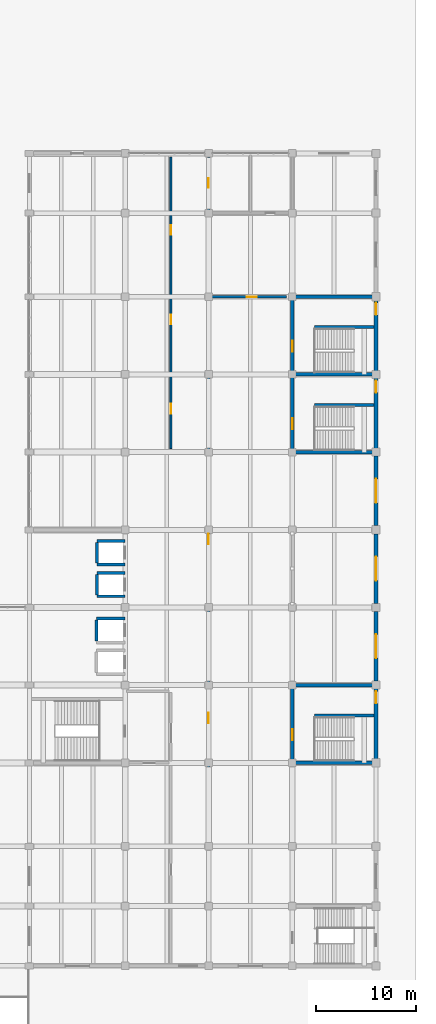
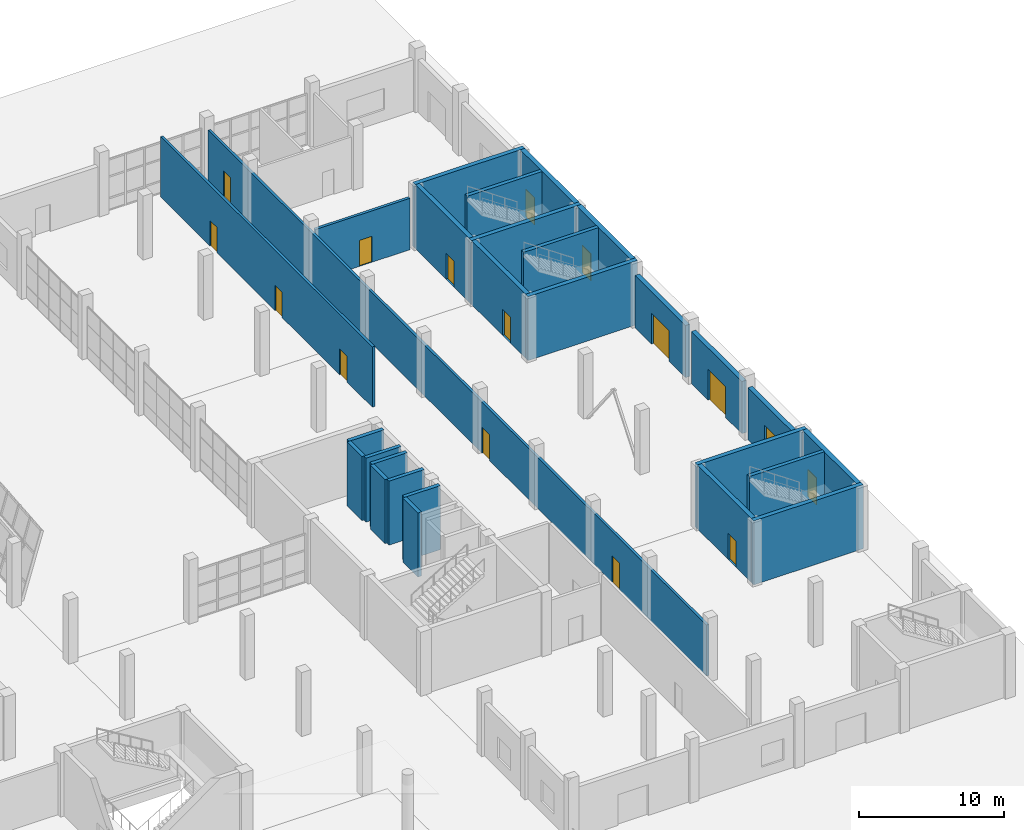
# One storey, part 67 of 78: 28 walls, 16 doors, 16 openings.
"""IFC4 building model written with IfcOpenShell, lengths in metres."""

from ifc_helpers import new_model, si_unit, direction, frame, frame_2d, origin, place, context, subcontext, project, spatial, rectangle, extrude, material, layer, layer_set, type_object, element, fill, save


model = new_model("IFC4")

# Units and contexts
model_context = context("Model", 3, precision=1e-05, world=origin(), true_north=direction((0.0, 1.0)))
body_context = subcontext(model_context, "Body", "Model", "MODEL_VIEW")
ifc_project = project(units=[si_unit("LENGTHUNIT", "METRE"), si_unit("AREAUNIT", "SQUARE_METRE"), si_unit("VOLUMEUNIT", "CUBIC_METRE"), si_unit("PLANEANGLEUNIT", "RADIAN"), si_unit("MASSUNIT", "GRAM", prefix="KILO")], contexts=[model_context])

# Site, building, storey
site_placement = place(None, origin())
site = spatial("IfcSite", under=ifc_project, at=site_placement, CompositionType="ELEMENT")
building_placement = place(site_placement, origin())
building = spatial("IfcBuilding", under=site, at=building_placement, Name="Pellamere Symphony Hall", CompositionType="ELEMENT")
storey_placement = place(building_placement, origin())
storey = spatial("IfcBuildingStorey", under=building, at=storey_placement, Name="L00", CompositionType="ELEMENT", Elevation=0.0)

# Wall, opening, door
ifc_material_1 = material(Name="Precast concrete 40 MPa", Category="concrete")
ifc_layer_1 = layer(ifc_material_1, 0.360107421875, Name="Precast concrete 40 MPa")
ifc_layer_set_1 = layer_set([ifc_layer_1], Name="Precast concrete 40 MPa")
wall_type_1 = type_object("IfcWallType", Name="Exterior Wall EW-01 360mm", PredefinedType="SOLIDWALL", material=ifc_layer_set_1)
wall_1_placement = place(storey_placement, frame((172.800048828125, 46.610107421875, 0.0), z_axis=(0.0, 0.0, 1.0), x_axis=(0.0, 1.0, 0.0)))
wall_1 = element("IfcWall", 1, at=wall_1_placement, inside=storey, type_object=wall_type_1, Name="Exterior Wall EW-01-074 (L00)", PredefinedType="SOLIDWALL", context=body_context, shape_type="SweptSolid", body=[
    extrude(rectangle(XDim=6.97998046875, YDim=0.360107421875, at=frame_2d((3.489990234375, 0.0))), origin(), (0.0, 0.0, 1.0), 4.39990234375),
])
opening_1_placement = place(wall_1_placement, frame((2.2900390625, 0.0, 0.0)))
opening_1 = element("IfcOpeningElement", 2, at=opening_1_placement, cuts=wall_1, Name="Opening E3046", PredefinedType="OPENING", context=body_context, shape_type="SweptSolid", body=[
    extrude(rectangle(XDim=2.39990234375, YDim=2.60009765625, at=frame_2d((1.199951171875, 1.300048828125))), frame((0.0, 0.18994140625, 0.0), z_axis=(0.0, -1.0, 0.0), x_axis=(1.0, 0.0, 0.0)), (0.0, 0.0, 1.0), 0.380126953125),
])
ifc_material_2 = material(Name="Thermally Broken Bronze-Anodised Aluminium Acoustic Door", Category="aluminium")
door_type_1 = type_object("IfcDoorType", Name="Exterior Door ED-01 2400x2600", OperationType="NOTDEFINED", PredefinedType="DOOR", material=ifc_material_2)
door_1_placement = place(opening_1_placement, frame((2.39990234375, 0.0, 0.0), z_axis=(0.0, 0.0, 1.0), x_axis=(-1.0, 0.0, 0.0)))
door_1 = element("IfcDoor", 3, at=door_1_placement, inside=storey, type_object=door_type_1, Name="Conservatory Wing East Plaza Exit", OperationType="DOUBLE_DOOR_SINGLE_SWING", OverallHeight=2.60009765625, OverallWidth=2.39990234375, PredefinedType="DOOR", context=body_context, shape_type="SweptSolid", body=[
    extrude(rectangle(XDim=2.39990234375, YDim=2.60009765625, at=frame_2d((1.199951171875, 1.300048828125))), frame((0.0, 0.02490234375, 0.0), z_axis=(0.0, -1.0, 0.0), x_axis=(1.0, 0.0, 0.0)), (0.0, 0.0, 1.0), 0.050048828125),
])
fill(opening_1, door_1)

wall_2_placement = place(storey_placement, frame((172.800048828125, 54.409912109375, 0.0), z_axis=(0.0, 0.0, 1.0), x_axis=(0.0, 1.0, 0.0)))
wall_2 = element("IfcWall", 4, at=wall_2_placement, inside=storey, type_object=wall_type_1, Name="Exterior Wall EW-01-075 (L00)", PredefinedType="SOLIDWALL", context=body_context, shape_type="SweptSolid", body=[
    extrude(rectangle(XDim=6.97998046875, YDim=0.360107421875, at=frame_2d((3.489990234375, 0.0))), origin(), (0.0, 0.0, 1.0), 4.39990234375),
])
opening_2_placement = place(wall_2_placement, frame((2.2900390625, 0.0, 0.0)))
opening_2 = element("IfcOpeningElement", 5, at=opening_2_placement, cuts=wall_2, Name="Opening E3054", PredefinedType="OPENING", context=body_context, shape_type="SweptSolid", body=[
    extrude(rectangle(XDim=2.39990234375, YDim=2.60009765625, at=frame_2d((1.199951171875, 1.300048828125))), frame((0.0, 0.18994140625, 0.0), z_axis=(0.0, -1.0, 0.0), x_axis=(1.0, 0.0, 0.0)), (0.0, 0.0, 1.0), 0.380126953125),
])
door_2_placement = place(opening_2_placement, frame((2.39990234375, 0.0, 0.0), z_axis=(0.0, 0.0, 1.0), x_axis=(-1.0, 0.0, 0.0)))
door_2 = element("IfcDoor", 6, at=door_2_placement, inside=storey, type_object=door_type_1, Name="Conservatory Wing East Plaza Exit", OperationType="DOUBLE_DOOR_SINGLE_SWING", OverallHeight=2.60009765625, OverallWidth=2.39990234375, PredefinedType="DOOR", context=body_context, shape_type="SweptSolid", body=[
    extrude(rectangle(XDim=2.39990234375, YDim=2.60009765625, at=frame_2d((1.199951171875, 1.300048828125))), frame((0.0, 0.02490234375, 0.0), z_axis=(0.0, -1.0, 0.0), x_axis=(1.0, 0.0, 0.0)), (0.0, 0.0, 1.0), 0.050048828125),
])
fill(opening_2, door_2)

wall_3_placement = place(storey_placement, frame((172.800048828125, 62.2099609375, 0.0), z_axis=(0.0, 0.0, 1.0), x_axis=(0.0, 1.0, 0.0)))
wall_3 = element("IfcWall", 7, at=wall_3_placement, inside=storey, type_object=wall_type_1, Name="Exterior Wall EW-01-076 (L00)", PredefinedType="SOLIDWALL", context=body_context, shape_type="SweptSolid", body=[
    extrude(rectangle(XDim=6.97998046875, YDim=0.360107421875, at=frame_2d((3.489990234375, 0.0))), origin(), (0.0, 0.0, 1.0), 4.39990234375),
])
opening_3_placement = place(wall_3_placement, frame((2.2900390625, 0.0, 0.0)))
opening_3 = element("IfcOpeningElement", 8, at=opening_3_placement, cuts=wall_3, Name="Opening E3061", PredefinedType="OPENING", context=body_context, shape_type="SweptSolid", body=[
    extrude(rectangle(XDim=2.39990234375, YDim=2.60009765625, at=frame_2d((1.199951171875, 1.300048828125))), frame((0.0, 0.18994140625, 0.0), z_axis=(0.0, -1.0, 0.0), x_axis=(1.0, 0.0, 0.0)), (0.0, 0.0, 1.0), 0.380126953125),
])
door_3_placement = place(opening_3_placement, frame((2.39990234375, 0.0, 0.0), z_axis=(0.0, 0.0, 1.0), x_axis=(-1.0, 0.0, 0.0)))
door_3 = element("IfcDoor", 9, at=door_3_placement, inside=storey, type_object=door_type_1, Name="Conservatory Wing East Plaza Exit", OperationType="DOUBLE_DOOR_SINGLE_SWING", OverallHeight=2.60009765625, OverallWidth=2.39990234375, PredefinedType="DOOR", context=body_context, shape_type="SweptSolid", body=[
    extrude(rectangle(XDim=2.39990234375, YDim=2.60009765625, at=frame_2d((1.199951171875, 1.300048828125))), frame((0.0, 0.02490234375, 0.0), z_axis=(0.0, -1.0, 0.0), x_axis=(1.0, 0.0, 0.0)), (0.0, 0.0, 1.0), 0.050048828125),
])
fill(opening_3, door_3)

# Wall, openings, doors
ifc_material_3 = material(Name="Fire-Rated STC-58 Corridor Acoustic Partition", Category="gypsum")
ifc_layer_2 = layer(ifc_material_3, 0.199951171875, Name="Fire-Rated STC-58 Corridor Acoustic Partition")
ifc_layer_set_2 = layer_set([ifc_layer_2], Name="Fire-Rated STC-58 Corridor Acoustic Partition")
wall_type_2 = type_object("IfcWallType", Name="Interior Partition IW-02 200mm", PredefinedType="PARTITIONING", material=ifc_layer_set_2)
wall_4_placement = place(storey_placement, frame((152.199951171875, 69.93994140625, 0.0), z_axis=(0.0, 0.0, 1.0), x_axis=(0.0, 1.0, 0.0)))
wall_4 = element("IfcWall", 10, at=wall_4_placement, inside=storey, type_object=wall_type_2, Name="Interior Partition IW-02-063 (L00)", PredefinedType="PARTITIONING", context=body_context, shape_type="SweptSolid", body=[
    extrude(rectangle(XDim=29.280029296875, YDim=0.199951171875, at=frame_2d((14.64013671875, 0.0))), origin(), (0.0, 0.0, 1.0), 5.090087890625),
])
opening_4_placement = place(wall_4_placement, frame((3.5, 0.0, 0.0)))
opening_4 = element("IfcOpeningElement", 11, at=opening_4_placement, cuts=wall_4, Name="Opening ID-RM2-024", PredefinedType="OPENING", context=body_context, shape_type="SweptSolid", body=[
    extrude(rectangle(XDim=1.02001953125, YDim=2.179931640625, at=frame_2d((0.510009765625, 1.08984375))), frame((0.0, 0.10986328125, 0.0), z_axis=(0.0, -1.0, 0.0), x_axis=(1.0, 0.0, 0.0)), (0.0, 0.0, 1.0), 0.219970703125),
])
opening_5_placement = place(wall_4_placement, frame((12.5, 0.0, 0.0)))
opening_5 = element("IfcOpeningElement", 12, at=opening_5_placement, cuts=wall_4, Name="Opening ID-RM1-025", PredefinedType="OPENING", context=body_context, shape_type="SweptSolid", body=[
    extrude(rectangle(XDim=0.949951171875, YDim=2.14990234375, at=frame_2d((0.47509765625, 1.074951171875))), frame((0.0, 0.10986328125, 0.0), z_axis=(0.0, -1.0, 0.0), x_axis=(1.0, 0.0, 0.0)), (0.0, 0.0, 1.0), 0.219970703125),
])
opening_6_placement = place(wall_4_placement, frame((21.5, 0.0, 0.0)))
opening_6 = element("IfcOpeningElement", 13, at=opening_6_placement, cuts=wall_4, Name="Opening ID-RM1-026", PredefinedType="OPENING", context=body_context, shape_type="SweptSolid", body=[
    extrude(rectangle(XDim=0.949951171875, YDim=2.14990234375, at=frame_2d((0.47509765625, 1.074951171875))), frame((0.0, 0.10986328125, 0.0), z_axis=(0.0, -1.0, 0.0), x_axis=(1.0, 0.0, 0.0)), (0.0, 0.0, 1.0), 0.219970703125),
])
ifc_material_4 = material(Name="Solid-Core White Oak Room Door", Category="wood")
door_type_2 = type_object("IfcDoorType", Name="Interior Door ID-RM1 950x2150", OperationType="NOTDEFINED", PredefinedType="DOOR", material=ifc_material_4)
door_4_placement = place(opening_5_placement, origin())
door_4 = element("IfcDoor", 14, at=door_4_placement, inside=storey, type_object=door_type_2, Name="Principal Soloist Suite 1 Door", OperationType="SINGLE_SWING_RIGHT", OverallHeight=2.14990234375, OverallWidth=0.949951171875, PredefinedType="DOOR", context=body_context, shape_type="SweptSolid", body=[
    extrude(rectangle(XDim=0.949951171875, YDim=2.14990234375, at=frame_2d((0.47509765625, 1.074951171875))), frame((0.0, 0.02490234375, 0.0), z_axis=(0.0, -1.0, 0.0), x_axis=(1.0, 0.0, 0.0)), (0.0, 0.0, 1.0), 0.050048828125),
])
fill(opening_5, door_4)
door_5_placement = place(opening_6_placement, origin())
door_5 = element("IfcDoor", 15, at=door_5_placement, inside=storey, type_object=door_type_2, Name="Principal Soloist Suite 2 Door", OperationType="SINGLE_SWING_LEFT", OverallHeight=2.14990234375, OverallWidth=0.949951171875, PredefinedType="DOOR", context=body_context, shape_type="SweptSolid", body=[
    extrude(rectangle(XDim=0.949951171875, YDim=2.14990234375, at=frame_2d((0.47509765625, 1.074951171875))), frame((0.0, 0.02490234375, 0.0), z_axis=(0.0, -1.0, 0.0), x_axis=(1.0, 0.0, 0.0)), (0.0, 0.0, 1.0), 0.050048828125),
])
fill(opening_6, door_5)
ifc_material_5 = material(Name="Wide Accessible Teaching Studio Oak Door", Category="wood")
door_type_3 = type_object("IfcDoorType", Name="Interior Door ID-RM2 1020x2180", OperationType="NOTDEFINED", PredefinedType="DOOR", material=ifc_material_5)
door_6_placement = place(opening_4_placement, origin())
door_6 = element("IfcDoor", 16, at=door_6_placement, inside=storey, type_object=door_type_3, Name="Conductor Private Suite Door", OperationType="SINGLE_SWING_LEFT", OverallHeight=2.179931640625, OverallWidth=1.02001953125, PredefinedType="DOOR", context=body_context, shape_type="SweptSolid", body=[
    extrude(rectangle(XDim=1.02001953125, YDim=2.179931640625, at=frame_2d((0.510009765625, 1.08984375))), frame((0.0, 0.02490234375, 0.0), z_axis=(0.0, -1.0, 0.0), x_axis=(1.0, 0.0, 0.0)), (0.0, 0.0, 1.0), 0.050048828125),
])
fill(opening_4, door_6)

wall_5_placement = place(storey_placement, frame((156.0, 30.360107421875, 0.0), z_axis=(0.0, 0.0, 1.0), x_axis=(0.0, 1.0, 0.0)))
wall_5 = element("IfcWall", 17, at=wall_5_placement, inside=storey, type_object=wall_type_2, Name="Interior Partition IW-02-064 (L00)", PredefinedType="PARTITIONING", context=body_context, shape_type="SweptSolid", body=[
    extrude(rectangle(XDim=68.85986328125, YDim=0.199951171875, at=frame_2d((34.429931640625, 0.0))), origin(), (0.0, 0.0, 1.0), 4.300048828125),
])
opening_7_placement = place(wall_5_placement, frame((12.0, 0.0, 0.0)))
opening_7 = element("IfcOpeningElement", 18, at=opening_7_placement, cuts=wall_5, Name="Opening ID-AD2-027", PredefinedType="OPENING", context=body_context, shape_type="SweptSolid", body=[
    extrude(rectangle(XDim=1.050048828125, YDim=2.25, at=frame_2d((0.52490234375, 1.125))), frame((0.0, 0.10986328125, 0.0), z_axis=(0.0, -1.0, 0.0), x_axis=(1.0, 0.0, 0.0)), (0.0, 0.0, 1.0), 0.219970703125),
])
opening_8_placement = place(wall_5_placement, frame((30.0, 0.0, 0.0)))
opening_8 = element("IfcOpeningElement", 19, at=opening_8_placement, cuts=wall_5, Name="Opening ID-RM2-028", PredefinedType="OPENING", context=body_context, shape_type="SweptSolid", body=[
    extrude(rectangle(XDim=1.02001953125, YDim=2.179931640625, at=frame_2d((0.510009765625, 1.08984375))), frame((0.0, 0.10986328125, 0.0), z_axis=(0.0, -1.0, 0.0), x_axis=(1.0, 0.0, 0.0)), (0.0, 0.0, 1.0), 0.219970703125),
])
opening_9_placement = place(wall_5_placement, frame((65.800048828125, 0.0, 0.0)))
opening_9 = element("IfcOpeningElement", 20, at=opening_9_placement, cuts=wall_5, Name="Opening ID-WC1-029", PredefinedType="OPENING", context=body_context, shape_type="SweptSolid", body=[
    extrude(rectangle(XDim=0.919921875, YDim=2.14990234375, at=frame_2d((0.4599609375, 1.074951171875))), frame((0.0, 0.10986328125, 0.0), z_axis=(0.0, -1.0, 0.0), x_axis=(1.0, 0.0, 0.0)), (0.0, 0.0, 1.0), 0.219970703125),
])
ifc_material_6 = material(Name="STC-50 Oak Acoustic Studio Door", Category="wood")
door_type_4 = type_object("IfcDoorType", Name="Interior Door ID-AD2 1050x2250", OperationType="NOTDEFINED", PredefinedType="DOOR", material=ifc_material_6)
door_7_placement = place(opening_7_placement, origin())
door_7 = element("IfcDoor", 21, at=door_7_placement, inside=storey, type_object=door_type_4, Name="Brass Teaching Studio Door", OperationType="SINGLE_SWING_RIGHT", OverallHeight=2.25, OverallWidth=1.050048828125, PredefinedType="DOOR", context=body_context, shape_type="SweptSolid", body=[
    extrude(rectangle(XDim=1.050048828125, YDim=2.25, at=frame_2d((0.52490234375, 1.125))), frame((0.0, 0.02490234375, 0.0), z_axis=(0.0, -1.0, 0.0), x_axis=(1.0, 0.0, 0.0)), (0.0, 0.0, 1.0), 0.050048828125),
])
fill(opening_7, door_7)
door_8_placement = place(opening_8_placement, origin())
door_8 = element("IfcDoor", 22, at=door_8_placement, inside=storey, type_object=door_type_3, Name="Visiting Ensemble Dressing Door", OperationType="SINGLE_SWING_LEFT", OverallHeight=2.179931640625, OverallWidth=1.02001953125, PredefinedType="DOOR", context=body_context, shape_type="SweptSolid", body=[
    extrude(rectangle(XDim=1.02001953125, YDim=2.179931640625, at=frame_2d((0.510009765625, 1.08984375))), frame((0.0, 0.02490234375, 0.0), z_axis=(0.0, -1.0, 0.0), x_axis=(1.0, 0.0, 0.0)), (0.0, 0.0, 1.0), 0.050048828125),
])
fill(opening_8, door_8)
ifc_material_7 = material(Name="Accessible Washroom Privacy Door", Category="wood")
door_type_5 = type_object("IfcDoorType", Name="Interior Door ID-WC1 920x2150", OperationType="NOTDEFINED", PredefinedType="DOOR", material=ifc_material_7)
door_9_placement = place(opening_9_placement, origin())
door_9 = element("IfcDoor", 23, at=door_9_placement, inside=storey, type_object=door_type_5, Name="Artists Wing Public Washrooms Door", OperationType="SINGLE_SWING_RIGHT", OverallHeight=2.14990234375, OverallWidth=0.919921875, PredefinedType="DOOR", context=body_context, shape_type="SweptSolid", body=[
    extrude(rectangle(XDim=0.919921875, YDim=2.14990234375, at=frame_2d((0.4599609375, 1.074951171875))), frame((0.0, 0.02490234375, 0.0), z_axis=(0.0, -1.0, 0.0), x_axis=(1.0, 0.0, 0.0)), (0.0, 0.0, 1.0), 0.050048828125),
])
fill(opening_9, door_9)

# Wall, opening, door
ifc_material_8 = material(Name="Protected Exit Passageway Shaftwall Partition", Category="gypsum")
ifc_layer_3 = layer(ifc_material_8, 0.219970703125, Name="Protected Exit Passageway Shaftwall Partition")
ifc_layer_set_3 = layer_set([ifc_layer_3], Name="Protected Exit Passageway Shaftwall Partition")
wall_type_3 = type_object("IfcWallType", Name="Interior Partition IW-07 220mm", PredefinedType="PARTITIONING", material=ifc_layer_set_3)
wall_6_placement = place(storey_placement, frame((156.31005859375, 85.199951171875, 0.0), z_axis=(0.0, 0.0, 1.0), x_axis=(1.0, 0.0, 0.0)))
wall_6 = element("IfcWall", 24, at=wall_6_placement, inside=storey, type_object=wall_type_3, Name="Interior Partition IW-07-068 (L00)", PredefinedType="PARTITIONING", context=body_context, shape_type="SweptSolid", body=[
    extrude(rectangle(XDim=7.530029296875, YDim=0.219970703125, at=frame_2d((3.76513671875, 0.0))), origin(), (0.0, 0.0, 1.0), 4.340087890625),
])
opening_10_placement = place(wall_6_placement, frame((3.5, 0.0, 0.0)))
opening_10 = element("IfcOpeningElement", 25, at=opening_10_placement, cuts=wall_6, Name="Opening ID-FD2-031", PredefinedType="OPENING", context=body_context, shape_type="SweptSolid", body=[
    extrude(rectangle(XDim=1.0, YDim=2.199951171875, at=frame_2d((0.5, 1.10009765625))), frame((0.0, 0.119873046875, 0.0), z_axis=(0.0, -1.0, 0.0), x_axis=(1.0, 0.0, 0.0)), (0.0, 0.0, 1.0), 0.239990234375),
])
ifc_material_9 = material(Name="Fire-Rated Plant and Riser Door", Category="steel")
door_type_6 = type_object("IfcDoorType", Name="Interior Door ID-FD2 1000x2200", OperationType="NOTDEFINED", PredefinedType="DOOR", material=ifc_material_9)
door_10_placement = place(opening_10_placement, origin())
door_10 = element("IfcDoor", 26, at=door_10_placement, inside=storey, type_object=door_type_6, Name="Protected East Exit Passage C4 Door", OperationType="SINGLE_SWING_RIGHT", OverallHeight=2.199951171875, OverallWidth=1.0, PredefinedType="DOOR", context=body_context, shape_type="SweptSolid", body=[
    extrude(rectangle(XDim=1.0, YDim=2.199951171875, at=frame_2d((0.5, 1.10009765625))), frame((0.0, 0.02490234375, 0.0), z_axis=(0.0, -1.0, 0.0), x_axis=(1.0, 0.0, 0.0)), (0.0, 0.0, 1.0), 0.050048828125),
])
fill(opening_10, door_10)

# Walls
ifc_material_10 = material(Name="Concrete 40 MPa", Category="concrete")
ifc_layer_4 = layer(ifc_material_10, 0.35009765625, Name="Concrete 40 MPa")
ifc_layer_set_4 = layer_set([ifc_layer_4], Name="Concrete 40 MPa")
wall_type_4 = type_object("IfcWallType", Name="Structural Wall SW-03 350mm", PredefinedType="SHEAR", material=ifc_layer_set_4)
for number, where, z_axis, x_axis, name in (
    (27, (164.22509765625, 69.60009765625, 0.0), (0.0, 0.0, 1.0), (1.0, 0.0, 0.0), "Stair ST05 Enclosure Wall S (L00)"),
    (28, (164.22509765625, 77.39990234375, 0.0), (0.0, 0.0, 1.0), (1.0, 0.0, 0.0), "Stair ST05 Enclosure Wall N (L00)"),
):
    element("IfcWall", number, at=place(storey_placement, frame(where, z_axis=z_axis, x_axis=x_axis)), inside=storey, type_object=wall_type_4, Name=name, PredefinedType="SHEAR", context=body_context, shape_type="SweptSolid", body=[
        extrude(rectangle(XDim=8.75, YDim=0.35009765625, at=frame_2d((4.375, 0.0))), origin(), (0.0, 0.0, 1.0), 5.39990234375),
    ])

# Wall, opening, door
wall_7_placement = place(storey_placement, frame((164.39990234375, 69.77490234375, 0.0), z_axis=(0.0, 0.0, 1.0), x_axis=(0.0, 1.0, 0.0)))
wall_7 = element("IfcWall", 29, at=wall_7_placement, inside=storey, type_object=wall_type_4, Name="Stair ST05 Enclosure Wall W (L00)", PredefinedType="SHEAR", context=body_context, shape_type="SweptSolid", body=[
    extrude(rectangle(XDim=7.4501953125, YDim=0.35009765625, at=frame_2d((3.72509765625, 0.0))), origin(), (0.0, 0.0, 1.0), 5.39990234375),
])
opening_11_placement = place(wall_7_placement, frame((2.10009765625, 0.0, 0.0)))
opening_11 = element("IfcOpeningElement", 30, at=opening_11_placement, cuts=wall_7, Name="Opening SD-23", PredefinedType="OPENING", context=body_context, shape_type="SweptSolid", body=[
    extrude(rectangle(XDim=1.10009765625, YDim=2.199951171875, at=frame_2d((0.550048828125, 1.10009765625))), frame((0.0, 0.18505859375, 0.0), z_axis=(0.0, -1.0, 0.0), x_axis=(1.0, 0.0, 0.0)), (0.0, 0.0, 1.0), 0.3701171875),
])
ifc_material_11 = material(Name="Fire-Rated Steel Exit Stair Door", Category="steel")
door_type_7 = type_object("IfcDoorType", Name="Interior Door ID-SD1 1100x2200", OperationType="NOTDEFINED", PredefinedType="DOOR", material=ifc_material_11)
door_11_placement = place(opening_11_placement, origin())
door_11 = element("IfcDoor", 31, at=door_11_placement, inside=storey, type_object=door_type_7, Name="Exit Stair ST05 Door (L00)", OperationType="SINGLE_SWING_LEFT", OverallHeight=2.199951171875, OverallWidth=1.10009765625, PredefinedType="DOOR", context=body_context, shape_type="SweptSolid", body=[
    extrude(rectangle(XDim=1.10009765625, YDim=2.199951171875, at=frame_2d((0.550048828125, 1.10009765625))), frame((0.0, 0.02490234375, 0.0), z_axis=(0.0, -1.0, 0.0), x_axis=(1.0, 0.0, 0.0)), (0.0, 0.0, 1.0), 0.050048828125),
])
fill(opening_11, door_11)

# Walls
for number, where, z_axis, x_axis, name in (
    (32, (164.22509765625, 38.39990234375, 0.0), (0.0, 0.0, 1.0), (1.0, 0.0, 0.0), "Stair ST06 Enclosure Wall S (L00)"),
    (33, (164.22509765625, 46.199951171875, 0.0), (0.0, 0.0, 1.0), (1.0, 0.0, 0.0), "Stair ST06 Enclosure Wall N (L00)"),
):
    element("IfcWall", number, at=place(storey_placement, frame(where, z_axis=z_axis, x_axis=x_axis)), inside=storey, type_object=wall_type_4, Name=name, PredefinedType="SHEAR", context=body_context, shape_type="SweptSolid", body=[
        extrude(rectangle(XDim=8.75, YDim=0.35009765625, at=frame_2d((4.375, 0.0))), origin(), (0.0, 0.0, 1.0), 5.39990234375),
    ])

# Wall, opening, door
wall_8_placement = place(storey_placement, frame((164.39990234375, 38.574951171875, 0.0), z_axis=(0.0, 0.0, 1.0), x_axis=(0.0, 1.0, 0.0)))
wall_8 = element("IfcWall", 34, at=wall_8_placement, inside=storey, type_object=wall_type_4, Name="Stair ST06 Enclosure Wall W (L00)", PredefinedType="SHEAR", context=body_context, shape_type="SweptSolid", body=[
    extrude(rectangle(XDim=7.449951171875, YDim=0.35009765625, at=frame_2d((3.72509765625, 0.0))), origin(), (0.0, 0.0, 1.0), 5.39990234375),
])
opening_12_placement = place(wall_8_placement, frame((2.10009765625, 0.0, 0.0)))
opening_12 = element("IfcOpeningElement", 35, at=opening_12_placement, cuts=wall_8, Name="Opening SD-30", PredefinedType="OPENING", context=body_context, shape_type="SweptSolid", body=[
    extrude(rectangle(XDim=1.10009765625, YDim=2.199951171875, at=frame_2d((0.550048828125, 1.10009765625))), frame((0.0, 0.18505859375, 0.0), z_axis=(0.0, -1.0, 0.0), x_axis=(1.0, 0.0, 0.0)), (0.0, 0.0, 1.0), 0.3701171875),
])
door_12_placement = place(opening_12_placement, origin())
door_12 = element("IfcDoor", 36, at=door_12_placement, inside=storey, type_object=door_type_7, Name="Exit Stair ST06 Door (L00)", OperationType="SINGLE_SWING_RIGHT", OverallHeight=2.199951171875, OverallWidth=1.10009765625, PredefinedType="DOOR", context=body_context, shape_type="SweptSolid", body=[
    extrude(rectangle(XDim=1.10009765625, YDim=2.199951171875, at=frame_2d((0.550048828125, 1.10009765625))), frame((0.0, 0.02490234375, 0.0), z_axis=(0.0, -1.0, 0.0), x_axis=(1.0, 0.0, 0.0)), (0.0, 0.0, 1.0), 0.050048828125),
])
fill(opening_12, door_12)

# Wall
wall_9_placement = place(storey_placement, frame((164.22509765625, 85.199951171875, 0.0), z_axis=(0.0, 0.0, 1.0), x_axis=(1.0, 0.0, 0.0)))
element("IfcWall", 37, at=wall_9_placement, inside=storey, type_object=wall_type_4, Name="Stair ST14 Enclosure Wall N (L00)", PredefinedType="SHEAR", context=body_context, shape_type="SweptSolid", body=[
    extrude(rectangle(XDim=8.75, YDim=0.35009765625, at=frame_2d((4.375, 0.0))), origin(), (0.0, 0.0, 1.0), 5.39990234375),
])

# Wall, opening, door
wall_10_placement = place(storey_placement, frame((164.39990234375, 77.574951171875, 0.0), z_axis=(0.0, 0.0, 1.0), x_axis=(0.0, 1.0, 0.0)))
wall_10 = element("IfcWall", 38, at=wall_10_placement, inside=storey, type_object=wall_type_4, Name="Stair ST14 Enclosure Wall W (L00)", PredefinedType="SHEAR", context=body_context, shape_type="SweptSolid", body=[
    extrude(rectangle(XDim=7.449951171875, YDim=0.35009765625, at=frame_2d((3.72509765625, 0.0))), origin(), (0.0, 0.0, 1.0), 5.39990234375),
])
opening_13_placement = place(wall_10_placement, frame((2.10009765625, 0.0, 0.0)))
opening_13 = element("IfcOpeningElement", 39, at=opening_13_placement, cuts=wall_10, Name="Opening SD-64", PredefinedType="OPENING", context=body_context, shape_type="SweptSolid", body=[
    extrude(rectangle(XDim=1.10009765625, YDim=2.199951171875, at=frame_2d((0.550048828125, 1.10009765625))), frame((0.0, 0.18505859375, 0.0), z_axis=(0.0, -1.0, 0.0), x_axis=(1.0, 0.0, 0.0)), (0.0, 0.0, 1.0), 0.3701171875),
])
door_13_placement = place(opening_13_placement, origin())
door_13 = element("IfcDoor", 40, at=door_13_placement, inside=storey, type_object=door_type_7, Name="Exit Stair ST14 Door (L00)", OperationType="SINGLE_SWING_RIGHT", OverallHeight=2.199951171875, OverallWidth=1.10009765625, PredefinedType="DOOR", context=body_context, shape_type="SweptSolid", body=[
    extrude(rectangle(XDim=1.10009765625, YDim=2.199951171875, at=frame_2d((0.550048828125, 1.10009765625))), frame((0.0, 0.02490234375, 0.0), z_axis=(0.0, -1.0, 0.0), x_axis=(1.0, 0.0, 0.0)), (0.0, 0.0, 1.0), 0.050048828125),
])
fill(opening_13, door_13)

# Walls
ifc_layer_5 = layer(ifc_material_10, 0.300048828125, Name="Concrete 40 MPa")
ifc_layer_set_5 = layer_set([ifc_layer_5], Name="Concrete 40 MPa")
wall_type_5 = type_object("IfcWallType", Name="Structural Wall SW-04 300mm", PredefinedType="SHEAR", material=ifc_layer_set_5)
for number, where, z_axis, x_axis, name in (
    (41, (166.625, 74.35009765625, 0.0), (0.0, 0.0, 1.0), (1.0, 0.0, 0.0), "Stair ST05 Discharge Divider Wall (L00)"),
    (42, (166.625, 43.14990234375, 0.0), (0.0, 0.0, 1.0), (1.0, 0.0, 0.0), "Stair ST06 Discharge Divider Wall (L00)"),
    (43, (166.625, 82.14990234375, 0.0), (0.0, 0.0, 1.0), (1.0, 0.0, 0.0), "Stair ST14 Discharge Divider Wall (L00)"),
):
    element("IfcWall", number, at=place(storey_placement, frame(where, z_axis=z_axis, x_axis=x_axis)), inside=storey, type_object=wall_type_5, Name=name, PredefinedType="SHEAR", context=body_context, shape_type="SweptSolid", body=[
        extrude(rectangle(XDim=5.9951171875, YDim=0.300048828125, at=frame_2d((2.99755859375, 0.0))), origin(), (0.0, 0.0, 1.0), 5.39990234375),
    ])
wall_11_placement = place(storey_placement, frame((144.75, 52.89990234375, 0.0), z_axis=(0.0, 0.0, 1.0), x_axis=(1.0, 0.0, 0.0)))
element("IfcWall", 44, at=wall_11_placement, inside=storey, type_object=wall_type_5, Name="Elevator FFL2 Hoistway Wall N (L00)", PredefinedType="SHEAR", context=body_context, shape_type="SweptSolid", body=[
    extrude(rectangle(XDim=2.85009765625, YDim=0.300048828125, at=frame_2d((1.425048828125, 0.0))), origin(), (0.0, 0.0, 1.0), 5.39990234375),
])
wall_12_placement = place(storey_placement, frame((144.75, 50.64990234375, 0.0), z_axis=(0.0, 0.0, 1.0), x_axis=(0.0, 1.0, 0.0)))
element("IfcWall", 45, at=wall_12_placement, inside=storey, type_object=wall_type_5, Name="Elevator FFL2 Hoistway Wall W (L00)", PredefinedType="SHEAR", context=body_context, shape_type="SweptSolid", body=[
    extrude(rectangle(XDim=2.10009765625, YDim=0.300048828125, at=frame_2d((1.050048828125, 0.0))), origin(), (0.0, 0.0, 1.0), 5.39990234375),
])
for number, where, z_axis, x_axis, name in (
    (46, (144.800048828125, 55.125, 0.0), (0.0, 0.0, 1.0), (1.0, 0.0, 0.0), "Elevator PL3 Hoistway Wall S (L00)"),
    (47, (144.800048828125, 57.47509765625, 0.0), (0.0, 0.0, 1.0), (1.0, 0.0, 0.0), "Elevator PL3 Hoistway Wall N (L00)"),
):
    element("IfcWall", number, at=place(storey_placement, frame(where, z_axis=z_axis, x_axis=x_axis)), inside=storey, type_object=wall_type_5, Name=name, PredefinedType="SHEAR", context=body_context, shape_type="SweptSolid", body=[
        extrude(rectangle(XDim=2.800048828125, YDim=0.300048828125, at=frame_2d((1.39990234375, 0.0))), origin(), (0.0, 0.0, 1.0), 5.39990234375),
    ])
wall_13_placement = place(storey_placement, frame((144.800048828125, 55.27490234375, 0.0), z_axis=(0.0, 0.0, 1.0), x_axis=(0.0, 1.0, 0.0)))
element("IfcWall", 48, at=wall_13_placement, inside=storey, type_object=wall_type_5, Name="Elevator PL3 Hoistway Wall W (L00)", PredefinedType="SHEAR", context=body_context, shape_type="SweptSolid", body=[
    extrude(rectangle(XDim=2.050048828125, YDim=0.300048828125, at=frame_2d((1.02490234375, 0.0))), origin(), (0.0, 0.0, 1.0), 5.39990234375),
])
for number, where, z_axis, x_axis, name in (
    (49, (144.800048828125, 58.324951171875, 0.0), (0.0, 0.0, 1.0), (1.0, 0.0, 0.0), "Elevator PL4 Hoistway Wall S (L00)"),
    (50, (144.800048828125, 60.675048828125, 0.0), (0.0, 0.0, 1.0), (1.0, 0.0, 0.0), "Elevator PL4 Hoistway Wall N (L00)"),
):
    element("IfcWall", number, at=place(storey_placement, frame(where, z_axis=z_axis, x_axis=x_axis)), inside=storey, type_object=wall_type_5, Name=name, PredefinedType="SHEAR", context=body_context, shape_type="SweptSolid", body=[
        extrude(rectangle(XDim=2.800048828125, YDim=0.300048828125, at=frame_2d((1.39990234375, 0.0))), origin(), (0.0, 0.0, 1.0), 5.39990234375),
    ])
wall_14_placement = place(storey_placement, frame((144.800048828125, 58.47509765625, 0.0), z_axis=(0.0, 0.0, 1.0), x_axis=(0.0, 1.0, 0.0)))
element("IfcWall", 51, at=wall_14_placement, inside=storey, type_object=wall_type_5, Name="Elevator PL4 Hoistway Wall W (L00)", PredefinedType="SHEAR", context=body_context, shape_type="SweptSolid", body=[
    extrude(rectangle(XDim=2.0498046875, YDim=0.300048828125, at=frame_2d((1.02490234375, 0.0))), origin(), (0.0, 0.0, 1.0), 5.39990234375),
])

# Wall, opening, door
ifc_layer_6 = layer(ifc_material_10, 0.3798828125, Name="Concrete 40 MPa")
ifc_layer_set_6 = layer_set([ifc_layer_6], Name="Concrete 40 MPa")
wall_type_6 = type_object("IfcWallType", Name="Structural Wall SW-07 380mm", PredefinedType="SHEAR", material=ifc_layer_set_6)
wall_15_placement = place(storey_placement, frame((172.800048828125, 69.77490234375, 0.0), z_axis=(0.0, 0.0, 1.0), x_axis=(0.0, 1.0, 0.0)))
wall_15 = element("IfcWall", 52, at=wall_15_placement, inside=storey, type_object=wall_type_6, Name="Stair ST05 Enclosure Wall E (L00)", PredefinedType="SHEAR", context=body_context, shape_type="SweptSolid", body=[
    extrude(rectangle(XDim=7.4501953125, YDim=0.3798828125, at=frame_2d((3.72509765625, 0.0))), origin(), (0.0, 0.0, 1.0), 5.39990234375),
])
opening_14_placement = place(wall_15_placement, frame((5.800048828125, 0.0, 0.0)))
opening_14 = element("IfcOpeningElement", 53, at=opening_14_placement, cuts=wall_15, Name="Opening E31", PredefinedType="OPENING", context=body_context, shape_type="SweptSolid", body=[
    extrude(rectangle(XDim=1.199951171875, YDim=2.300048828125, at=frame_2d((0.60009765625, 1.14990234375))), frame((0.0, 0.199951171875, 0.0), z_axis=(0.0, -1.0, 0.0), x_axis=(1.0, 0.0, 0.0)), (0.0, 0.0, 1.0), 0.39990234375),
])
door_type_8 = type_object("IfcDoorType", Name="Exterior Door ED-04 1200x2300", OperationType="NOTDEFINED", PredefinedType="DOOR", material=ifc_material_2)
door_14_placement = place(opening_14_placement, frame((1.199951171875, 0.0, 0.0), z_axis=(0.0, 0.0, 1.0), x_axis=(-1.0, 0.0, 0.0)))
door_14 = element("IfcDoor", 54, at=door_14_placement, inside=storey, type_object=door_type_8, Name="Stair ST05 Direct East Street Exit", OperationType="SINGLE_SWING_LEFT", OverallHeight=2.300048828125, OverallWidth=1.199951171875, PredefinedType="DOOR", context=body_context, shape_type="SweptSolid", body=[
    extrude(rectangle(XDim=1.199951171875, YDim=2.300048828125, at=frame_2d((0.60009765625, 1.14990234375))), frame((0.0, 0.02490234375, 0.0), z_axis=(0.0, -1.0, 0.0), x_axis=(1.0, 0.0, 0.0)), (0.0, 0.0, 1.0), 0.050048828125),
])
fill(opening_14, door_14)

wall_16_placement = place(storey_placement, frame((172.800048828125, 38.574951171875, 0.0), z_axis=(0.0, 0.0, 1.0), x_axis=(0.0, 1.0, 0.0)))
wall_16 = element("IfcWall", 55, at=wall_16_placement, inside=storey, type_object=wall_type_6, Name="Stair ST06 Enclosure Wall E (L00)", PredefinedType="SHEAR", context=body_context, shape_type="SweptSolid", body=[
    extrude(rectangle(XDim=7.449951171875, YDim=0.3798828125, at=frame_2d((3.72509765625, 0.0))), origin(), (0.0, 0.0, 1.0), 5.39990234375),
])
opening_15_placement = place(wall_16_placement, frame((5.800048828125, 0.0, 0.0)))
opening_15 = element("IfcOpeningElement", 56, at=opening_15_placement, cuts=wall_16, Name="Opening E32", PredefinedType="OPENING", context=body_context, shape_type="SweptSolid", body=[
    extrude(rectangle(XDim=1.199951171875, YDim=2.300048828125, at=frame_2d((0.60009765625, 1.14990234375))), frame((0.0, 0.199951171875, 0.0), z_axis=(0.0, -1.0, 0.0), x_axis=(1.0, 0.0, 0.0)), (0.0, 0.0, 1.0), 0.39990234375),
])
door_15_placement = place(opening_15_placement, frame((1.199951171875, 0.0, 0.0), z_axis=(0.0, 0.0, 1.0), x_axis=(-1.0, 0.0, 0.0)))
door_15 = element("IfcDoor", 57, at=door_15_placement, inside=storey, type_object=door_type_8, Name="Stair ST06 Direct East Street Exit", OperationType="SINGLE_SWING_LEFT", OverallHeight=2.300048828125, OverallWidth=1.199951171875, PredefinedType="DOOR", context=body_context, shape_type="SweptSolid", body=[
    extrude(rectangle(XDim=1.199951171875, YDim=2.300048828125, at=frame_2d((0.60009765625, 1.14990234375))), frame((0.0, 0.02490234375, 0.0), z_axis=(0.0, -1.0, 0.0), x_axis=(1.0, 0.0, 0.0)), (0.0, 0.0, 1.0), 0.050048828125),
])
fill(opening_15, door_15)

wall_17_placement = place(storey_placement, frame((172.800048828125, 77.574951171875, 0.0), z_axis=(0.0, 0.0, 1.0), x_axis=(0.0, 1.0, 0.0)))
wall_17 = element("IfcWall", 58, at=wall_17_placement, inside=storey, type_object=wall_type_6, Name="Stair ST14 Enclosure Wall E (L00)", PredefinedType="SHEAR", context=body_context, shape_type="SweptSolid", body=[
    extrude(rectangle(XDim=7.449951171875, YDim=0.3798828125, at=frame_2d((3.72509765625, 0.0))), origin(), (0.0, 0.0, 1.0), 5.39990234375),
])
opening_16_placement = place(wall_17_placement, frame((5.800048828125, 0.0, 0.0)))
opening_16 = element("IfcOpeningElement", 59, at=opening_16_placement, cuts=wall_17, Name="Opening E40", PredefinedType="OPENING", context=body_context, shape_type="SweptSolid", body=[
    extrude(rectangle(XDim=1.199951171875, YDim=2.300048828125, at=frame_2d((0.60009765625, 1.14990234375))), frame((0.0, 0.199951171875, 0.0), z_axis=(0.0, -1.0, 0.0), x_axis=(1.0, 0.0, 0.0)), (0.0, 0.0, 1.0), 0.39990234375),
])
door_16_placement = place(opening_16_placement, frame((1.199951171875, 0.0, 0.0), z_axis=(0.0, 0.0, 1.0), x_axis=(-1.0, 0.0, 0.0)))
door_16 = element("IfcDoor", 60, at=door_16_placement, inside=storey, type_object=door_type_8, Name="Stair ST14 Direct East Street Exit", OperationType="SINGLE_SWING_LEFT", OverallHeight=2.300048828125, OverallWidth=1.199951171875, PredefinedType="DOOR", context=body_context, shape_type="SweptSolid", body=[
    extrude(rectangle(XDim=1.199951171875, YDim=2.300048828125, at=frame_2d((0.60009765625, 1.14990234375))), frame((0.0, 0.02490234375, 0.0), z_axis=(0.0, -1.0, 0.0), x_axis=(1.0, 0.0, 0.0)), (0.0, 0.0, 1.0), 0.050048828125),
])
fill(opening_16, door_16)

save(model, "model.ifc")
